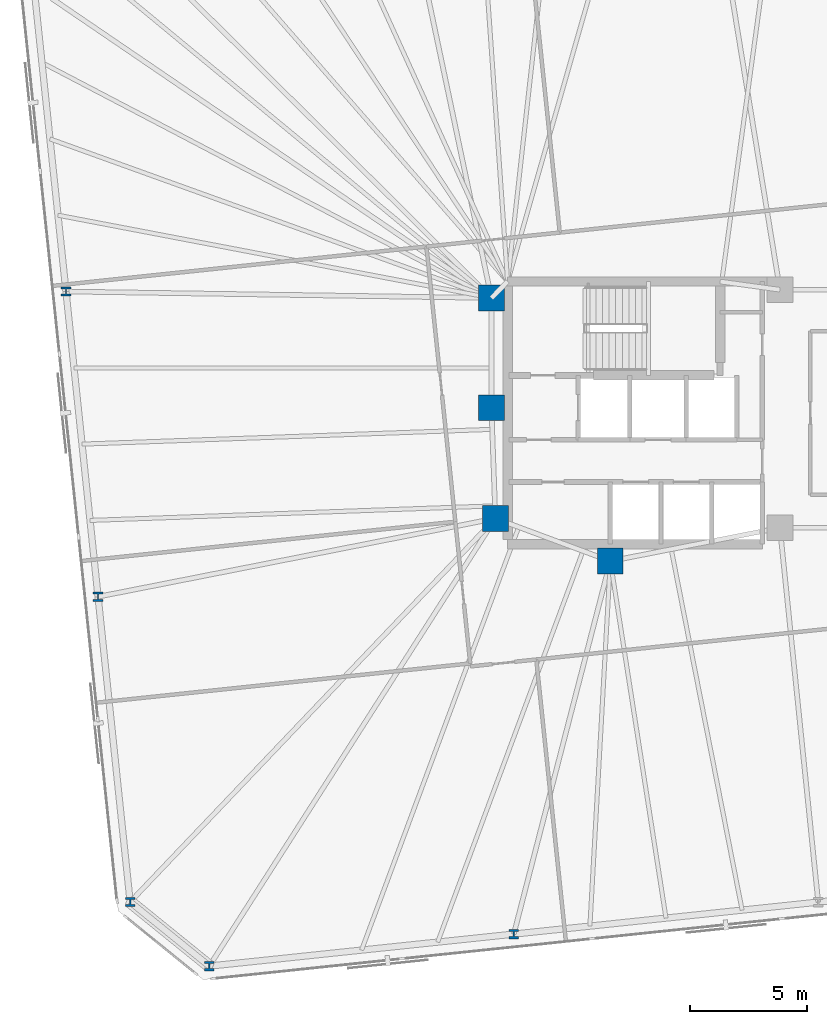
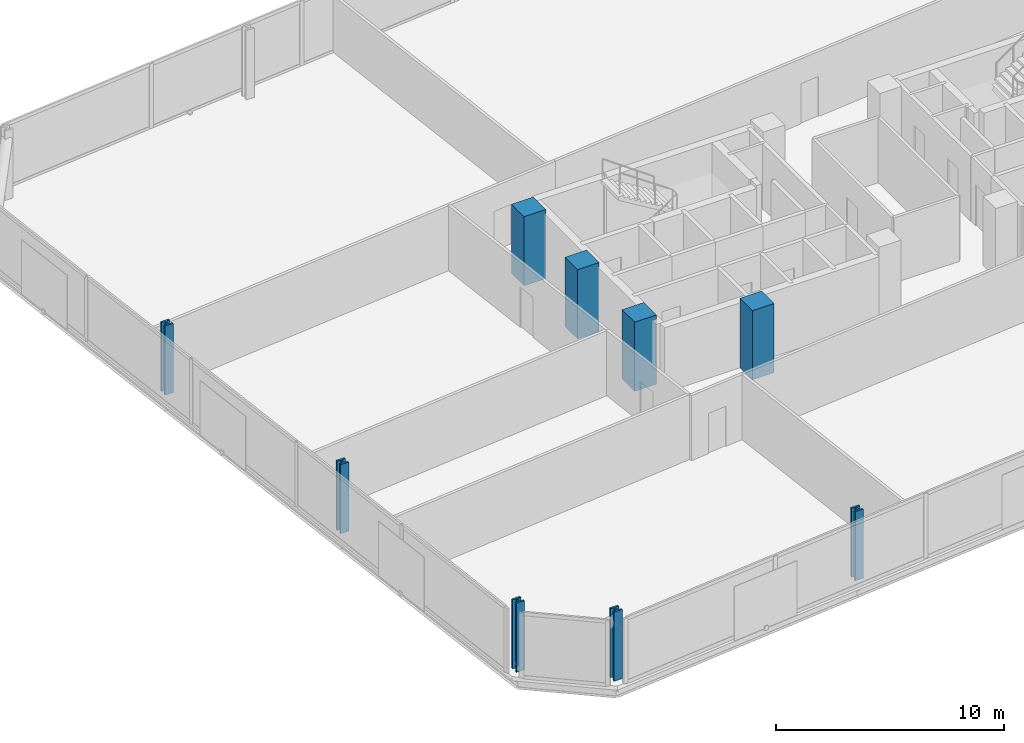
# One storey, part 1 of 18: 9 columns.
"""IFC4 building model written with IfcOpenShell, lengths in metres."""

import ifcopenshell
import ifcopenshell.guid

model = None  # the IFC model being written
_history = None  # IfcOwnerHistory: only IFC2X3 demands one
_inside = {}  # id of a spatial element -> (the spatial element, [elements in it])
_under = {}  # id of a project, library or spatial element -> (it, [spatial elements below it])
_declared = {}  # id of a project -> (the project, [libraries it declares])
_typed = {}  # id of a type object -> (the type object, [elements of that type])
_made_of = {}  # id of a material, layer set ... -> (it, [elements and type objects made of it])


def new_model(schema):
    """Start an empty IFC model of exactly this schema.

    Asked for "IFC4X3", IfcOpenShell would pick the latest addendum, in which some entities
    have other attributes; the version numbers below select the first issue.
    IFC2X3 requires an IfcOwnerHistory on every rooted entity: one is made here for all.
    """
    global model, _history
    if schema == "IFC4X3":
        model = ifcopenshell.file(schema_version=(4, 3, 0, 0))
    else:
        model = ifcopenshell.file(schema=schema)
    _inside.clear()
    _under.clear()
    _declared.clear()
    _typed.clear()
    _made_of.clear()
    _history = None
    if model.schema == "IFC2X3":
        org = make("IfcOrganization", Name="unknown")
        user = make(
            "IfcPersonAndOrganization",
            ThePerson=make("IfcPerson", FamilyName="unknown"),
            TheOrganization=org,
        )
        app = make(
            "IfcApplication",
            ApplicationDeveloper=org,
            Version="unknown",
            ApplicationFullName="unknown",
            ApplicationIdentifier="unknown",
        )
        _history = make(
            "IfcOwnerHistory",
            OwningUser=user,
            OwningApplication=app,
            ChangeAction="ADDED",
            CreationDate=0,
        )
    return model


def make(cls, **values):
    """One entity of the class cls with the attributes given. An attribute that is None is left unset."""
    return model.create_entity(
        cls, **{name: value for name, value in values.items() if value is not None}
    )


def rooted(cls, **values):
    """An entity with a GlobalId (a new one), such as an element, a storey or a relation."""
    return make(cls, GlobalId=ifcopenshell.guid.new(), OwnerHistory=_history, **values)


def si_unit(unit_type, name, prefix=None):
    """IfcSIUnit, for example si_unit("LENGTHUNIT", "METRE", prefix="MILLI")."""
    return make("IfcSIUnit", UnitType=unit_type, Prefix=prefix, Name=name)


def assignment(units):
    """IfcUnitAssignment: the units of a project."""
    return None if units is None else make("IfcUnitAssignment", Units=units)


def point(xyz):
    """IfcCartesianPoint."""
    return None if xyz is None else make("IfcCartesianPoint", Coordinates=xyz)


def direction(xyz):
    """IfcDirection."""
    return None if xyz is None else make("IfcDirection", DirectionRatios=xyz)


def frame(location, z_axis=None, x_axis=None):
    """IfcAxis2Placement3D, a coordinate frame: its origin and axes. An axis left out is left unset."""
    return make(
        "IfcAxis2Placement3D",
        Location=point(location),
        Axis=direction(z_axis),
        RefDirection=direction(x_axis),
    )


def frame_2d(location, x_axis=None):
    """IfcAxis2Placement2D, a coordinate frame in the plane: its origin and x axis."""
    return make(
        "IfcAxis2Placement2D", Location=point(location), RefDirection=direction(x_axis)
    )


def origin():
    """The frame at (0, 0, 0) with its axes left unset."""
    return frame((0.0, 0.0, 0.0))


def origin_2d():
    """The frame at (0, 0) in the plane with its x axis left unset."""
    return frame_2d((0.0, 0.0))


def place(relative_to, where):
    """IfcLocalPlacement: puts the frame where relative to a parent placement (None: the world)."""
    return make(
        "IfcLocalPlacement", PlacementRelTo=relative_to, RelativePlacement=where
    )


def context(
    kind, dimensions, precision=None, world=None, true_north=None, identifier=None
):
    """IfcGeometricRepresentationContext, for example the 3D "Model" context."""
    return make(
        "IfcGeometricRepresentationContext",
        ContextIdentifier=identifier,
        ContextType=kind,
        CoordinateSpaceDimension=dimensions,
        Precision=precision,
        WorldCoordinateSystem=world,
        TrueNorth=true_north,
    )


def subcontext(parent, identifier, kind, view, scale=None):
    """IfcGeometricRepresentationSubContext, for example "Body" below "Model"."""
    return make(
        "IfcGeometricRepresentationSubContext",
        ContextIdentifier=identifier,
        ContextType=kind,
        ParentContext=parent,
        TargetScale=scale,
        TargetView=view,
    )


def project(units=None, contexts=None):
    """IfcProject with its units and contexts."""
    return rooted(
        "IfcProject",
        Name="project",
        RepresentationContexts=contexts,
        UnitsInContext=assignment(units),
    )


def spatial(cls, under=None, at=None, **own):
    """A site, building, storey or space (cls), placed at a placement, below another one or the project."""
    s = rooted(cls, ObjectPlacement=at, **own)
    if under is not None:
        _under.setdefault(under.id(), (under, []))[1].append(s)
    return s


def profile(cls, at=None, kind="AREA", **sizes):
    """A parametric profile (cls). Its sizes go by their IFC names, for example OverallWidth=200.0."""
    return make(cls, ProfileType=kind, Position=at, **sizes)


def rectangle(**sizes):
    """IfcRectangleProfileDef."""
    return profile("IfcRectangleProfileDef", **sizes)


def i_section(**sizes):
    """IfcIShapeProfileDef."""
    return profile("IfcIShapeProfileDef", **sizes)


def extrude(swept, where, along, depth):
    """IfcExtrudedAreaSolid: the profile swept, set in the frame where, extruded along a direction by depth."""
    return make(
        "IfcExtrudedAreaSolid",
        SweptArea=swept,
        Position=where,
        ExtrudedDirection=direction(along),
        Depth=depth,
    )


def shape(context_of_items, identifier, shape_type, items):
    """IfcShapeRepresentation: the items that make up one representation, for example the "Body"."""
    return make(
        "IfcShapeRepresentation",
        ContextOfItems=context_of_items,
        RepresentationIdentifier=identifier,
        RepresentationType=shape_type,
        Items=items,
    )


def material(Name=None, Category=None):
    """IfcMaterial."""
    return make("IfcMaterial", Name=Name, Category=Category)


def material_profile(
    of_material, cross_section, Name=None, Category=None, Priority=None
):
    """IfcMaterialProfile: a cross section and its material."""
    return make(
        "IfcMaterialProfile",
        Name=Name,
        Material=of_material,
        Profile=cross_section,
        Priority=Priority,
        Category=Category,
    )


def profile_set(profiles, Name=None, composite=None):
    """IfcMaterialProfileSet."""
    return make(
        "IfcMaterialProfileSet",
        Name=Name,
        MaterialProfiles=profiles,
        CompositeProfile=composite,
    )


def made_of(thing, what):
    """Note that an element or type object is made of a material, layer set ...; save() writes the relation."""
    if what is not None:
        _made_of.setdefault(what.id(), (what, []))[1].append(thing)
    return thing


def type_object(cls, material=None, **own):
    """A type object (cls), such as IfcWallType, which elements share."""
    return made_of(rooted(cls, **own), material)


def element(
    cls,
    number,
    at=None,
    inside=None,
    cuts=None,
    type_object=None,
    material=None,
    context=None,
    identifier="Body",
    shape_type=None,
    held_by="IfcProductDefinitionShape",
    body=None,
    shapes=None,
    **own,
):
    """One element of the class cls, such as IfcWall. Its Tag is "e" and its number.

    at: its placement. inside: the storey or other place that contains it. cuts: it is an
    opening in that element (IfcRelVoidsElement). A single representation is given by context,
    identifier, shape_type and body (its items); several are given by shapes. held_by: the class
    of the entity that holds the representations. save() writes the other relations.
    """
    e = rooted(cls, Tag="e%d" % number, ObjectPlacement=at, **own)
    if body is not None:
        shapes = [shape(context, identifier, shape_type, body)]
    if shapes is not None:
        e.Representation = make(held_by, Representations=shapes)
    if inside is not None:
        _inside.setdefault(inside.id(), (inside, []))[1].append(e)
    if cuts is not None:
        rooted(
            "IfcRelVoidsElement", RelatingBuildingElement=cuts, RelatedOpeningElement=e
        )
    if type_object is not None:
        _typed.setdefault(type_object.id(), (type_object, []))[1].append(e)
    return made_of(e, material)


def aggregate(whole, parts):
    """IfcRelAggregates: a whole, such as a stair, and the parts it consists of."""
    return rooted("IfcRelAggregates", RelatingObject=whole, RelatedObjects=parts)


def save(model, path):
    """Write the relations noted so far, then the file.

    IfcRelAggregates (storeys below a building ...), IfcRelContainedInSpatialStructure (elements
    in a storey), IfcRelDefinesByType, IfcRelAssociatesMaterial and IfcRelDeclares: one each for
    every whole, place, type object, material and project.
    """
    for whole, parts in _under.values():
        aggregate(whole, parts)
    for where, things in _inside.values():
        rooted(
            "IfcRelContainedInSpatialStructure",
            RelatedElements=things,
            RelatingStructure=where,
        )
    for kind, things in _typed.values():
        rooted("IfcRelDefinesByType", RelatedObjects=things, RelatingType=kind)
    for what, things in _made_of.values():
        rooted("IfcRelAssociatesMaterial", RelatedObjects=things, RelatingMaterial=what)
    for by, libraries in _declared.values():
        rooted("IfcRelDeclares", RelatingContext=by, RelatedDefinitions=libraries)
    model.write(path)


model = new_model("IFC4")

# Units and contexts
model_context = context("Model", 3, precision=1e-05, world=origin(), true_north=direction((0.0, 1.0)))
body_context = subcontext(model_context, "Body", "Model", "MODEL_VIEW")
ifc_project = project(units=[si_unit("LENGTHUNIT", "METRE"), si_unit("AREAUNIT", "SQUARE_METRE"), si_unit("VOLUMEUNIT", "CUBIC_METRE"), si_unit("PLANEANGLEUNIT", "RADIAN"), si_unit("MASSUNIT", "GRAM", prefix="KILO")], contexts=[model_context])

# Site, building, storey
site_placement = place(None, origin())
site = spatial("IfcSite", under=ifc_project, at=site_placement, CompositionType="ELEMENT")
building_placement = place(site_placement, origin())
building = spatial("IfcBuilding", under=site, at=building_placement, Name="Menara Jurai Vektor", CompositionType="ELEMENT")
storey_placement = place(building_placement, frame((0.0, 0.0, 135.5)))
storey = spatial("IfcBuildingStorey", under=building, at=storey_placement, Name="L34", CompositionType="ELEMENT", Elevation=135.5)

# Columns
ifc_material_1 = material(Name="Concrete C50/60", Category="concrete")
ifc_material_profile_1 = material_profile(ifc_material_1, rectangle(XDim=1.10009765625, YDim=1.10009765625, at=origin_2d()), Name="RC 1100x1100")
ifc_profile_set_1 = profile_set([ifc_material_profile_1], Name="Concrete C50/60")
column_type_1 = type_object("IfcColumnType", Name="STR-COL-RC1100", PredefinedType="COLUMN", material=ifc_profile_set_1)
for number, where, z_axis, x_axis, name in (
    (1, (-15.25, 4.89990234375, 0.0), (0.0, 0.0, 1.0), (1.0, 0.0, 0.0), "Core Spine Column CW-NW L34"),
    (2, (-15.25, 0.219970703125, 0.0), (0.0, 0.0, 1.0), (1.0, 0.0, 0.0), "Core Spine Column CW-WM L34"),
    (3, (-15.080078125, -4.5, 0.0), (0.0, 0.0, 1.0), (1.0, 0.0, 0.0), "Core Spine Column CW-SW L34"),
    (4, (-10.179931640625, -6.320068359375, 0.0), (0.0, 0.0, 1.0), (1.0, 0.0, 0.0), "Core Spine Column CW-SM L34"),
):
    element("IfcColumn", number, at=place(storey_placement, frame(where, z_axis=z_axis, x_axis=x_axis)), inside=storey, type_object=column_type_1, Name=name, PredefinedType="COLUMN", context=body_context, shape_type="SweptSolid", body=[
        extrude(rectangle(XDim=1.10009765625, YDim=1.10009765625, at=origin_2d()), origin(), (0.0, 0.0, 1.0), 3.699951171875),
    ])
ifc_material_2 = material(Name="Steel S460", Category="steel")
ifc_material_profile_2 = material_profile(ifc_material_2, i_section(OverallWidth=0.4130859375, OverallDepth=0.39794921875, WebThickness=0.055908203125, FlangeThickness=0.089111328125, FilletRadius=0.014892578125, at=origin_2d()), Name="HD 400x744")
ifc_profile_set_2 = profile_set([ifc_material_profile_2], Name="Steel S460")
column_type_2 = type_object("IfcColumnType", Name="STR-EXO-BLK2", PredefinedType="COLUMN", material=ifc_profile_set_2)
for number, where, z_axis, x_axis, name in (
    (5, (-27.2763671875, -23.586181640625, 0.0), (0.0, 0.0, 1.0), (1.0, 0.0, 0.0), "Exoskeleton Column BLK2-S1 L34"),
    (6, (-14.296630859375, -22.221923828125, 0.0), (0.0, 0.0, 1.0), (1.0, 0.0, 0.0), "Exoskeleton Column BLK2-S2 L34"),
    (7, (-33.388427734375, 5.175048828125, 0.0), (0.0, 0.0, 1.0), (1.0, 0.0, 0.0), "Exoskeleton Column BLK2-W2 L34"),
    (8, (-32.0205078125, -7.83837890625, 0.0), (0.0, 0.0, 1.0), (1.0, 0.0, 0.0), "Exoskeleton Column BLK2-W3 L34"),
    (9, (-30.65283203125, -20.85205078125, 0.0), (0.0, 0.0, 1.0), (1.0, 0.0, 0.0), "Exoskeleton Column BLK2-W4 L34"),
):
    element("IfcColumn", number, at=place(storey_placement, frame(where, z_axis=z_axis, x_axis=x_axis)), inside=storey, type_object=column_type_2, Name=name, PredefinedType="COLUMN", context=body_context, shape_type="SweptSolid", body=[
        extrude(i_section(OverallWidth=0.4130859375, OverallDepth=0.39794921875, WebThickness=0.055908203125, FlangeThickness=0.089111328125, FilletRadius=0.014892578125, at=origin_2d()), origin(), (0.0, 0.0, 1.0), 3.699951171875),
    ])

save(model, "model.ifc")
